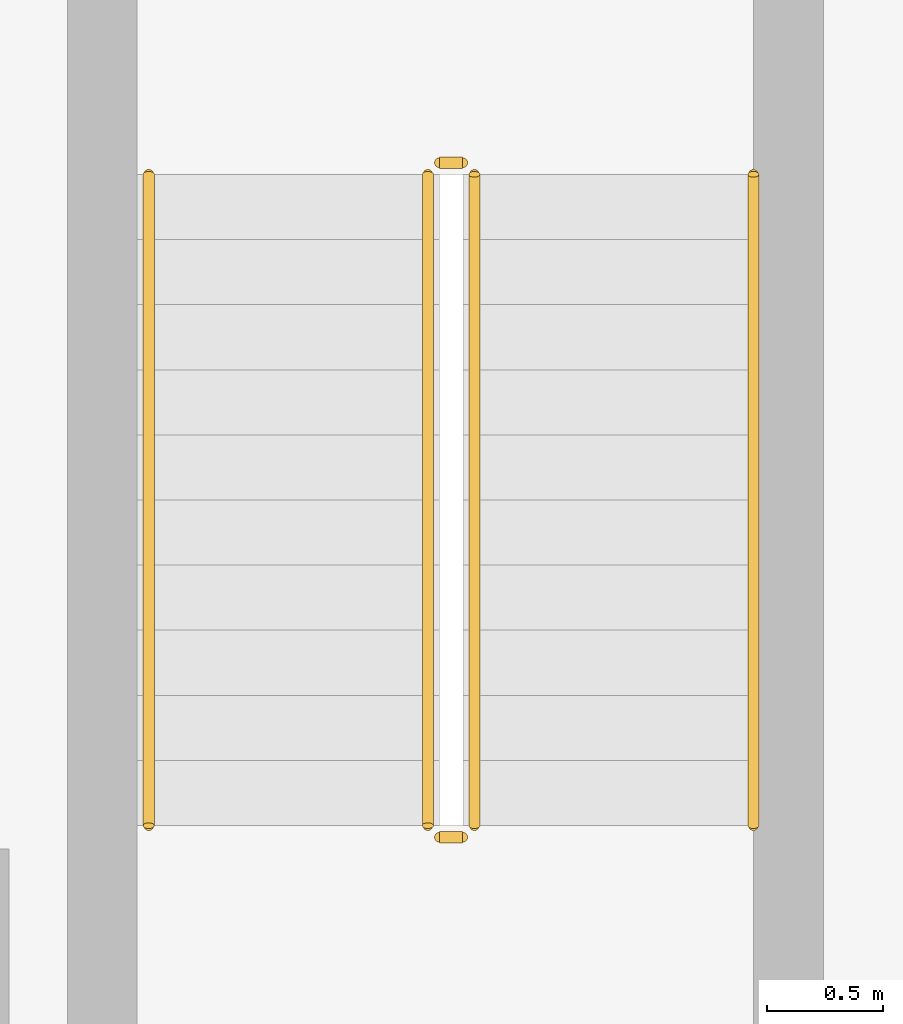
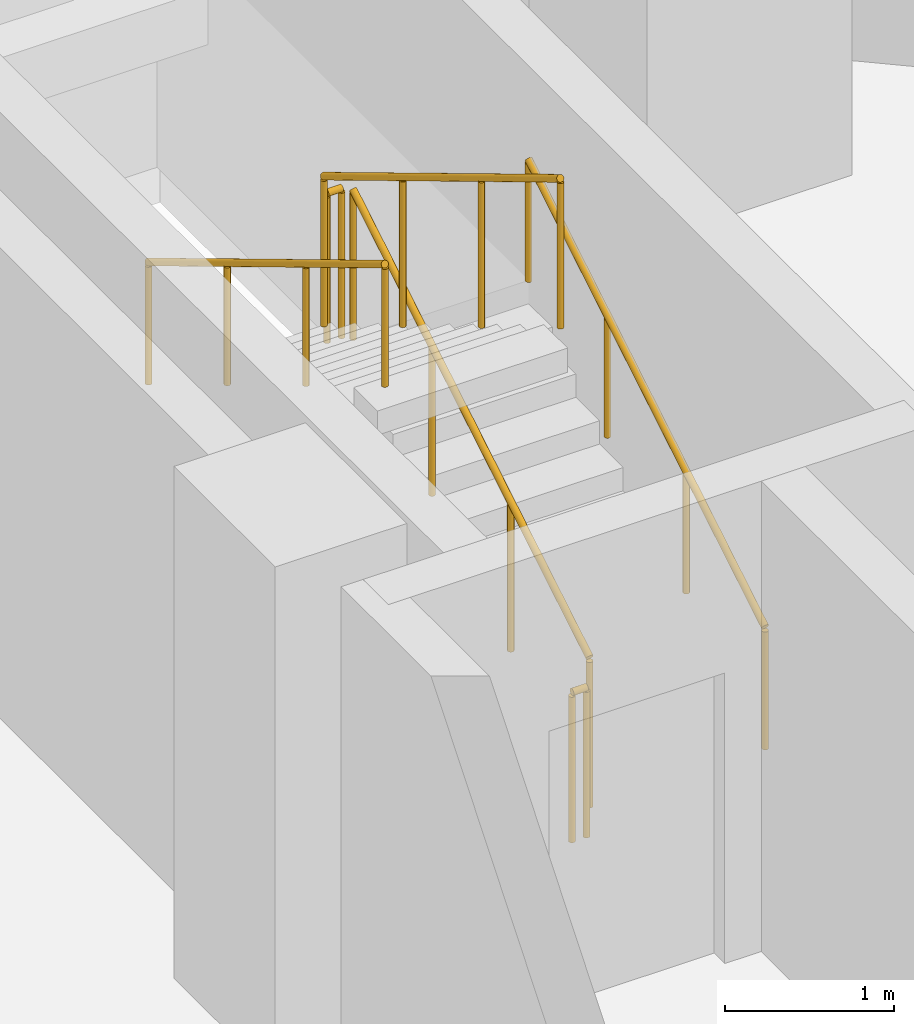
# One storey, part 32 of 33: 6 railings.
"""IFC4 building model written with IfcOpenShell, lengths in metres."""

from ifc_helpers import new_model, si_unit, direction, frame, origin, origin_2d, place, context, subcontext, project, spatial, circle, extrude, material, type_object, element, save


model = new_model("IFC4")

# Units and contexts
model_context = context("Model", 3, precision=1e-05, world=origin(), true_north=direction((0.0, 1.0)))
body_context = subcontext(model_context, "Body", "Model", "MODEL_VIEW")
ifc_project = project(units=[si_unit("LENGTHUNIT", "METRE"), si_unit("AREAUNIT", "SQUARE_METRE"), si_unit("VOLUMEUNIT", "CUBIC_METRE"), si_unit("PLANEANGLEUNIT", "RADIAN"), si_unit("MASSUNIT", "GRAM", prefix="KILO")], contexts=[model_context])

# Site, building, storey
site_placement = place(None, origin())
site = spatial("IfcSite", under=ifc_project, at=site_placement, CompositionType="ELEMENT")
building_placement = place(site_placement, origin())
building = spatial("IfcBuilding", under=site, at=building_placement, Name="Ogive Portal Towers", CompositionType="ELEMENT")
storey_placement = place(building_placement, frame((0.0, 0.0, 77.89990234375)))
storey = spatial("IfcBuildingStorey", under=building, at=storey_placement, Name="L18", CompositionType="ELEMENT", Elevation=77.89990234375)

# Railings
ifc_material_1 = material(Name="Stainless steel balustrade", Category="steel")
railing_type_1 = type_object("IfcRailingType", Name="INT-GUARD", PredefinedType="GUARDRAIL", material=ifc_material_1)
railing_1_placement = place(storey_placement, frame((42.949951171875, 67.199951171875, 0.168212890625)))
element("IfcRailing", 1, at=railing_1_placement, inside=storey, type_object=railing_type_1, Name="L18 ST-A3 stair guard 1", PredefinedType="GUARDRAIL", context=body_context, shape_type="SweptSolid", body=[
    extrude(circle(Radius=0.02392578125, at=origin_2d()), frame((0.0, 0.0, 1.076171875), z_axis=(0.0, 0.857242210791, 0.514913383045), x_axis=(-1.0, 0.0, 0.0)), (0.0, 0.0, 1.0), 3.266357421875),
    extrude(circle(Radius=0.02099609375, at=origin_2d()), origin(), (0.0, 0.0, 1.0), 1.052001953125),
    extrude(circle(Radius=0.02099609375, at=origin_2d()), frame((0.0, 0.933349609375, 0.560546875)), (0.0, 0.0, 1.0), 1.052001953125),
    extrude(circle(Radius=0.02099609375, at=origin_2d()), frame((0.0, 1.86669921875, 1.121337890625)), (0.0, 0.0, 1.0), 1.052001953125),
    extrude(circle(Radius=0.02099609375, at=origin_2d()), frame((0.0, 2.800048828125, 1.681884765625)), (0.0, 0.0, 1.0), 1.052001953125),
])
railing_2_placement = place(storey_placement, frame((42.89990234375, 70.050048828125, 1.85009765625)))
element("IfcRailing", 2, at=railing_2_placement, inside=storey, type_object=railing_type_1, Name="L18 ST-A3 stair guard 2", PredefinedType="GUARDRAIL", context=body_context, shape_type="SweptSolid", body=[
    extrude(circle(Radius=0.02392578125, at=origin_2d()), frame((0.0, 0.0, 1.076171875), z_axis=(-1.0, 0.0, 0.0), x_axis=(0.0, -1.0, 0.0)), (0.0, 0.0, 1.0), 0.099853515625),
    extrude(circle(Radius=0.02099609375, at=origin_2d()), origin(), (0.0, 0.0, 1.0), 1.052001953125),
    extrude(circle(Radius=0.02099609375, at=origin_2d()), frame((-0.099853515625, 0.0, 0.0)), (0.0, 0.0, 1.0), 1.052001953125),
])
railing_3_placement = place(storey_placement, frame((42.75, 70.0, 2.018310546875)))
element("IfcRailing", 3, at=railing_3_placement, inside=storey, type_object=railing_type_1, Name="L18 ST-A3 stair guard 3", PredefinedType="GUARDRAIL", context=body_context, shape_type="SweptSolid", body=[
    extrude(circle(Radius=0.02392578125, at=origin_2d()), frame((0.0, 0.0, 1.076171875), z_axis=(0.0, -0.857242210791, 0.514913383045), x_axis=(1.0, 0.0, 0.0)), (0.0, 0.0, 1.0), 3.266357421875),
    extrude(circle(Radius=0.02099609375, at=origin_2d()), origin(), (0.0, 0.0, 1.0), 1.052001953125),
    extrude(circle(Radius=0.02099609375, at=origin_2d()), frame((0.0, -0.933349609375, 0.560546875)), (0.0, 0.0, 1.0), 1.052001953125),
    extrude(circle(Radius=0.02099609375, at=origin_2d()), frame((0.0, -1.86669921875, 1.121337890625)), (0.0, 0.0, 1.0), 1.052001953125),
    extrude(circle(Radius=0.02099609375, at=origin_2d()), frame((0.0, -2.800048828125, 1.681884765625)), (0.0, 0.0, 1.0), 1.052001953125),
])
railing_4_placement = place(storey_placement, frame((42.89990234375, 67.14990234375, 0.0)))
element("IfcRailing", 4, at=railing_4_placement, inside=storey, type_object=railing_type_1, Name="L18 ST-A3 stair guard 4", PredefinedType="GUARDRAIL", context=body_context, shape_type="SweptSolid", body=[
    extrude(circle(Radius=0.02392578125, at=origin_2d()), frame((0.0, 0.0, 1.076171875), z_axis=(-1.0, 0.0, 0.0), x_axis=(0.0, -1.0, 0.0)), (0.0, 0.0, 1.0), 0.099853515625),
    extrude(circle(Radius=0.02099609375, at=origin_2d()), origin(), (0.0, 0.0, 1.0), 1.052001953125),
    extrude(circle(Radius=0.02099609375, at=origin_2d()), frame((-0.099853515625, 0.0, 0.0)), (0.0, 0.0, 1.0), 1.052001953125),
])
ifc_material_2 = material(Name="Stainless steel handrail", Category="steel")
railing_type_2 = type_object("IfcRailingType", Name="INT-HANDRAIL", PredefinedType="HANDRAIL", material=ifc_material_2)
railing_5_placement = place(storey_placement, frame((44.14990234375, 67.199951171875, 0.168212890625)))
element("IfcRailing", 5, at=railing_5_placement, inside=storey, type_object=railing_type_2, Name="L18 ST-A3 stair handrail 1", PredefinedType="HANDRAIL", context=body_context, shape_type="SweptSolid", body=[
    extrude(circle(Radius=0.02392578125, at=origin_2d()), frame((0.0, 0.0, 0.8759765625), z_axis=(0.0, 0.857242210791, 0.514913383045), x_axis=(-1.0, 0.0, 0.0)), (0.0, 0.0, 1.0), 3.266357421875),
    extrude(circle(Radius=0.02099609375, at=origin_2d()), origin(), (0.0, 0.0, 1.0), 0.851806640625),
    extrude(circle(Radius=0.02099609375, at=origin_2d()), frame((0.0, 0.933349609375, 0.560546875)), (0.0, 0.0, 1.0), 0.851806640625),
    extrude(circle(Radius=0.02099609375, at=origin_2d()), frame((0.0, 1.86669921875, 1.121337890625)), (0.0, 0.0, 1.0), 0.851806640625),
    extrude(circle(Radius=0.02099609375, at=origin_2d()), frame((0.0, 2.800048828125, 1.681884765625)), (0.0, 0.0, 1.0), 0.851806640625),
])
railing_6_placement = place(storey_placement, frame((41.550048828125, 70.0, 2.018310546875)))
element("IfcRailing", 6, at=railing_6_placement, inside=storey, type_object=railing_type_2, Name="L18 ST-A3 stair handrail 2", PredefinedType="HANDRAIL", context=body_context, shape_type="SweptSolid", body=[
    extrude(circle(Radius=0.02392578125, at=origin_2d()), frame((0.0, 0.0, 0.8759765625), z_axis=(0.0, -0.857242210791, 0.514913383045), x_axis=(1.0, 0.0, 0.0)), (0.0, 0.0, 1.0), 3.266357421875),
    extrude(circle(Radius=0.02099609375, at=origin_2d()), origin(), (0.0, 0.0, 1.0), 0.851806640625),
    extrude(circle(Radius=0.02099609375, at=origin_2d()), frame((0.0, -0.933349609375, 0.560546875)), (0.0, 0.0, 1.0), 0.851806640625),
    extrude(circle(Radius=0.02099609375, at=origin_2d()), frame((0.0, -1.86669921875, 1.121337890625)), (0.0, 0.0, 1.0), 0.851806640625),
    extrude(circle(Radius=0.02099609375, at=origin_2d()), frame((0.0, -2.800048828125, 1.681884765625)), (0.0, 0.0, 1.0), 0.851806640625),
])

save(model, "model.ifc")
